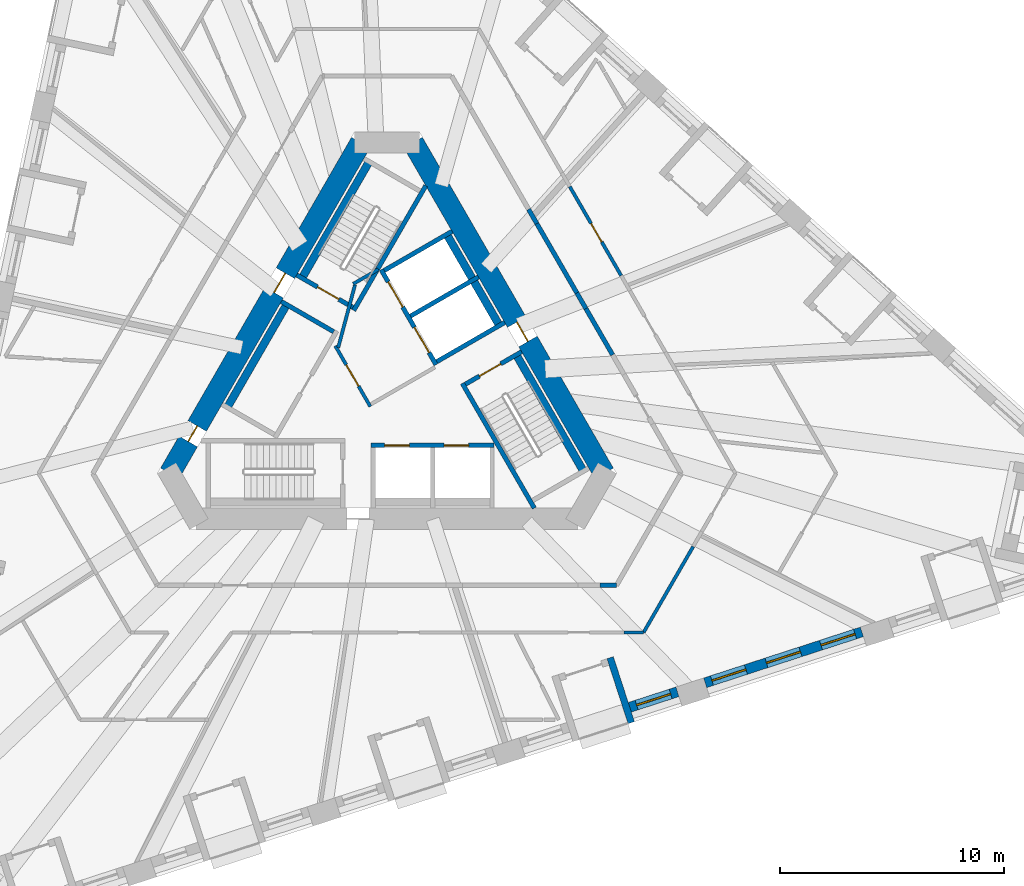
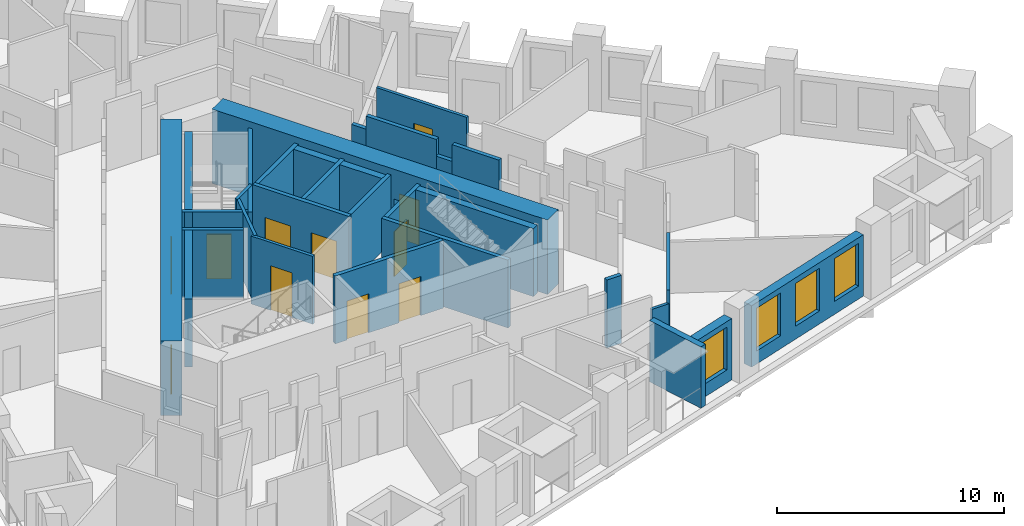
# One storey, part 5 of 12: 30 walls, 11 doors, 4 windows, 15 openings.
"""IFC4 building model written with IfcOpenShell, lengths in metres."""

from ifc_helpers import new_model, si_unit, direction, frame, frame_2d, origin, place, context, subcontext, project, spatial, rectangle, extrude, material, layer, layer_set, type_object, element, fill, save


model = new_model("IFC4")

# Units and contexts
model_context = context("Model", 3, precision=1e-05, world=origin(), true_north=direction((0.0, 1.0)))
body_context = subcontext(model_context, "Body", "Model", "MODEL_VIEW")
ifc_project = project(units=[si_unit("LENGTHUNIT", "METRE"), si_unit("AREAUNIT", "SQUARE_METRE"), si_unit("VOLUMEUNIT", "CUBIC_METRE"), si_unit("PLANEANGLEUNIT", "RADIAN"), si_unit("MASSUNIT", "GRAM", prefix="KILO")], contexts=[model_context])

# Site, building, storey
site_placement = place(None, origin())
site = spatial("IfcSite", under=ifc_project, at=site_placement, CompositionType="ELEMENT")
building_placement = place(site_placement, origin())
building = spatial("IfcBuilding", under=site, at=building_placement, Name="Tramontana Tower", CompositionType="ELEMENT")
storey_placement = place(building_placement, frame((0.0, 0.0, 92.39990234375)))
storey = spatial("IfcBuildingStorey", under=building, at=storey_placement, Name="L20", CompositionType="ELEMENT", Elevation=92.39990234375)

# Wall, openings, doors
ifc_material_1 = material(Name="Concrete 70 MPa", Category="concrete")
ifc_layer_1 = layer(ifc_material_1, 0.949951171875)
ifc_layer_set_1 = layer_set([ifc_layer_1], Name="Core wall 950 70 MPa")
wall_type_1 = type_object("IfcWallType", Name="Core wall 950 70 MPa", PredefinedType="SHEAR", material=ifc_layer_set_1)
wall_1_placement = place(storey_placement, frame((-1.169189453125, 10.52490234375, 0.0), z_axis=(0.0, 0.0, 1.0), x_axis=(-0.499999102847, -0.866025921755, 0.0)))
wall_1 = element("IfcWall", 1, at=wall_1_placement, inside=storey, type_object=wall_type_1, Name="Core wall C1 L20", PredefinedType="SHEAR", context=body_context, shape_type="SweptSolid", body=[
    extrude(rectangle(XDim=17.060546875, YDim=0.949951171875, at=frame_2d((8.5302734375, 0.0))), origin(), (0.0, 0.0, 1.0), 4.0),
])
opening_1_placement = place(wall_1_placement, frame((6.7353515625, 0.0, 0.0)))
opening_1 = element("IfcOpeningElement", 2, at=opening_1_placement, cuts=wall_1, Name="Opening RG1", PredefinedType="OPENING", context=body_context, shape_type="SweptSolid", body=[
    extrude(rectangle(XDim=1.0, YDim=2.39990234375, at=frame_2d((0.5, 1.199951171875))), frame((0.0, 0.48486328125, 0.0), z_axis=(0.0, -1.0, 0.0), x_axis=(1.0, 0.0, 0.0)), (0.0, 0.0, 1.0), 0.969970703125),
])
opening_2_placement = place(wall_1_placement, frame((14.612548828125, 0.0, 0.0)))
opening_2 = element("IfcOpeningElement", 3, at=opening_2_placement, cuts=wall_1, Name="Opening PD1", PredefinedType="OPENING", context=body_context, shape_type="SweptSolid", body=[
    extrude(rectangle(XDim=0.800048828125, YDim=2.10009765625, at=frame_2d((0.39990234375, 1.050048828125))), frame((0.0, 0.48486328125, 0.0), z_axis=(0.0, -1.0, 0.0), x_axis=(1.0, 0.0, 0.0)), (0.0, 0.0, 1.0), 0.969970703125),
])
ifc_material_2 = material(Name="Painted steel", Category="steel")
door_type_1 = type_object("IfcDoorType", Name="CUPBOARD DOOR 800", OperationType="SINGLE_SWING_LEFT", PredefinedType="DOOR", material=ifc_material_2)
door_1_placement = place(opening_2_placement, origin())
door_1 = element("IfcDoor", 4, at=door_1_placement, inside=storey, type_object=door_type_1, Name="Door PD1", OperationType="SINGLE_SWING_RIGHT", OverallHeight=2.10009765625, OverallWidth=0.800048828125, PredefinedType="DOOR", context=body_context, shape_type="SweptSolid", body=[
    extrude(rectangle(XDim=0.800048828125, YDim=2.10009765625, at=frame_2d((0.39990234375, 1.050048828125))), frame((0.0, 0.02490234375, 0.0), z_axis=(0.0, -1.0, 0.0), x_axis=(1.0, 0.0, 0.0)), (0.0, 0.0, 1.0), 0.050048828125),
])
fill(opening_2, door_1)
ifc_material_3 = material(Name="Painted steel", Category="steel")
door_type_2 = type_object("IfcDoorType", Name="RING DOOR 1000", OperationType="SINGLE_SWING_LEFT", PredefinedType="DOOR", material=ifc_material_3)
door_2_placement = place(opening_1_placement, origin())
door_2 = element("IfcDoor", 5, at=door_2_placement, inside=storey, type_object=door_type_2, Name="Door RG1", OperationType="SINGLE_SWING_LEFT", OverallHeight=2.39990234375, OverallWidth=1.0, PredefinedType="DOOR", context=body_context, shape_type="SweptSolid", body=[
    extrude(rectangle(XDim=1.0, YDim=2.39990234375, at=frame_2d((0.5, 1.199951171875))), frame((0.0, 0.02490234375, 0.0), z_axis=(0.0, -1.0, 0.0), x_axis=(1.0, 0.0, 0.0)), (0.0, 0.0, 1.0), 0.050048828125),
])
fill(opening_1, door_2)

# Wall, opening, door
wall_2_placement = place(storey_placement, frame((9.699462890625, -4.25, 0.0), z_axis=(0.0, 0.0, 1.0), x_axis=(-0.499999102847, 0.866025921755, 0.0)))
wall_2 = element("IfcWall", 6, at=wall_2_placement, inside=storey, type_object=wall_type_1, Name="Core wall C5 L20", PredefinedType="SHEAR", context=body_context, shape_type="SweptSolid", body=[
    extrude(rectangle(XDim=17.060546875, YDim=0.949951171875, at=frame_2d((8.5302734375, 0.0))), origin(), (0.0, 0.0, 1.0), 4.0),
])
opening_3_placement = place(wall_2_placement, frame((6.805419921875, 0.0, 0.0)))
opening_3 = element("IfcOpeningElement", 7, at=opening_3_placement, cuts=wall_2, Name="Opening RG3", PredefinedType="OPENING", context=body_context, shape_type="SweptSolid", body=[
    extrude(rectangle(XDim=1.0, YDim=2.39990234375, at=frame_2d((0.5, 1.199951171875))), frame((0.0, 0.48486328125, 0.0), z_axis=(0.0, -1.0, 0.0), x_axis=(1.0, 0.0, 0.0)), (0.0, 0.0, 1.0), 0.969970703125),
])
door_3_placement = place(opening_3_placement, origin())
door_3 = element("IfcDoor", 8, at=door_3_placement, inside=storey, type_object=door_type_2, Name="Door RG3", OperationType="SINGLE_SWING_LEFT", OverallHeight=2.39990234375, OverallWidth=1.0, PredefinedType="DOOR", context=body_context, shape_type="SweptSolid", body=[
    extrude(rectangle(XDim=1.0, YDim=2.39990234375, at=frame_2d((0.5, 1.199951171875))), frame((0.0, 0.02490234375, 0.0), z_axis=(0.0, -1.0, 0.0), x_axis=(1.0, 0.0, 0.0)), (0.0, 0.0, 1.0), 0.050048828125),
])
fill(opening_3, door_3)

# Walls
ifc_material_4 = material(Name="Blockwork", Category="masonry")
ifc_layer_2 = layer(ifc_material_4, 0.199951171875)
ifc_layer_set_2 = layer_set([ifc_layer_2], Name="ENTRY WALL 200")
wall_type_2 = type_object("IfcWallType", Name="ENTRY WALL 200", PredefinedType="SOLIDWALL", material=ifc_layer_set_2)
wall_3_placement = place(storey_placement, frame((6.323974609375, 7.546630859375, 0.0), z_axis=(0.0, 0.0, 1.0), x_axis=(0.499885169746, -0.866091690913, 0.0)))
element("IfcWall", 9, at=wall_3_placement, inside=storey, type_object=wall_type_2, Name="Wall v20-ew0-3", PredefinedType="SOLIDWALL", context=body_context, shape_type="SweptSolid", body=[
    extrude(rectangle(XDim=0.736083984375, YDim=0.199951171875, at=frame_2d((0.3681640625, 0.0))), origin(), (0.0, 0.0, 1.0), 2.9501953125),
])
wall_4_placement = place(storey_placement, frame((6.69189453125, 6.9091796875, 0.0), z_axis=(0.0, 0.0, 1.0), x_axis=(0.500029679218, -0.866008267802, 0.0)))
element("IfcWall", 10, at=wall_4_placement, inside=storey, type_object=wall_type_2, Name="Wall v20-ew0-4", PredefinedType="SOLIDWALL", context=body_context, shape_type="SweptSolid", body=[
    extrude(rectangle(XDim=3.576904296875, YDim=0.199951171875, at=frame_2d((1.78857421875, 0.0))), origin(), (0.0, 0.0, 1.0), 3.650146484375),
])
wall_5_placement = place(storey_placement, frame((8.48046875, 3.8115234375, 0.0), z_axis=(0.0, 0.0, 1.0), x_axis=(0.499809598504, -0.866135304236, 0.0)))
element("IfcWall", 11, at=wall_5_placement, inside=storey, type_object=wall_type_2, Name="Wall v20-ew0-5", PredefinedType="SOLIDWALL", context=body_context, shape_type="SweptSolid", body=[
    extrude(rectangle(XDim=0.808349609375, YDim=0.199951171875, at=frame_2d((0.404296875, 0.0))), origin(), (0.0, 0.0, 1.0), 2.75),
])
wall_6_placement = place(storey_placement, frame((8.884521484375, 3.111328125, 0.0), z_axis=(0.0, 0.0, 1.0), x_axis=(0.500035462246, -0.866004928679, 0.0)))
element("IfcWall", 12, at=wall_6_placement, inside=storey, type_object=wall_type_2, Name="Wall v20-ew0-6", PredefinedType="SOLIDWALL", context=body_context, shape_type="SweptSolid", body=[
    extrude(rectangle(XDim=2.385498046875, YDim=0.199951171875, at=frame_2d((1.19287109375, 0.0))), origin(), (0.0, 0.0, 1.0), 3.650146484375),
])
wall_7_placement = place(storey_placement, frame((10.248046875, -9.25, 0.0), z_axis=(0.0, 0.0, 1.0), x_axis=(-1.0, 0.0, 0.0)))
element("IfcWall", 13, at=wall_7_placement, inside=storey, type_object=wall_type_2, Name="Wall v20-ew2-0", PredefinedType="SOLIDWALL", context=body_context, shape_type="SweptSolid", body=[
    extrude(rectangle(XDim=0.74365234375, YDim=0.199951171875, at=frame_2d((0.371826171875, 0.0))), origin(), (0.0, 0.0, 1.0), 3.650146484375),
])

# Wall, opening, window
ifc_material_5 = material(Name="Precast concrete 60 MPa", Category="concrete")
ifc_layer_3 = layer(ifc_material_5, 0.449951171875)
ifc_layer_set_3 = layer_set([ifc_layer_3], Name="Precast concrete 60 MPa, 450 mm")
wall_type_3 = type_object("IfcWallType", Name="EW1 Stone-faced precast wall 450", PredefinedType="SOLIDWALL", material=ifc_layer_set_3)
wall_8_placement = place(storey_placement, frame((10.8447265625, -14.69287109375, 0.0), z_axis=(0.0, 0.0, 1.0), x_axis=(0.951057328329, 0.30901449518, 0.0)))
wall_8 = element("IfcWall", 14, at=wall_8_placement, inside=storey, type_object=wall_type_3, Name="External wall L20 face 1 bay 4", PredefinedType="SOLIDWALL", context=body_context, shape_type="SweptSolid", body=[
    extrude(rectangle(XDim=2.236572265625, YDim=0.449951171875, at=frame_2d((1.1181640625, 0.0))), origin(), (0.0, 0.0, 1.0), 3.300048828125),
])
opening_4_placement = place(wall_8_placement, frame((0.318359375, 0.0, 0.699951171875)))
opening_4 = element("IfcOpeningElement", 15, at=opening_4_placement, cuts=wall_8, Name="Opening M1", PredefinedType="OPENING", context=body_context, shape_type="SweptSolid", body=[
    extrude(rectangle(XDim=1.60009765625, YDim=2.300048828125, at=frame_2d((0.800048828125, 1.14990234375))), frame((0.0, 0.23486328125, 0.0), z_axis=(0.0, -1.0, 0.0), x_axis=(1.0, 0.0, 0.0)), (0.0, 0.0, 1.0), 0.469970703125),
])
ifc_material_6 = material(Name="Aluminum frame, double glazing unit", Category="aluminium")
window_type = type_object("IfcWindowType", Name="M1 Window 1.6 x 2.3", PartitioningType="SINGLE_PANEL", PredefinedType="WINDOW", material=ifc_material_6)
window_1_placement = place(opening_4_placement, origin())
window_1 = element("IfcWindow", 16, at=window_1_placement, inside=storey, type_object=window_type, Name="Window M1 L20 face 1 module 12", OverallHeight=2.300048828125, OverallWidth=1.60009765625, PartitioningType="SINGLE_PANEL", PredefinedType="WINDOW", context=body_context, shape_type="SweptSolid", body=[
    extrude(rectangle(XDim=1.60009765625, YDim=2.300048828125, at=frame_2d((0.800048828125, 1.14990234375))), frame((0.0, 0.030029296875, 0.0), z_axis=(0.0, -1.0, 0.0), x_axis=(1.0, 0.0, 0.0)), (0.0, 0.0, 1.0), 0.06005859375),
])
fill(opening_4, window_1)

# Wall, openings, windows
wall_9_placement = place(storey_placement, frame((14.208251953125, -13.60009765625, 0.0), z_axis=(0.0, 0.0, 1.0), x_axis=(0.951057467065, 0.309014068191, 0.0)))
wall_9 = element("IfcWall", 17, at=wall_9_placement, inside=storey, type_object=wall_type_3, Name="External wall L20 face 1 bay 5", PredefinedType="SOLIDWALL", context=body_context, shape_type="SweptSolid", body=[
    extrude(rectangle(XDim=7.360107421875, YDim=0.449951171875, at=frame_2d((3.68017578125, 0.0))), origin(), (0.0, 0.0, 1.0), 3.300048828125),
])
opening_5_placement = place(wall_9_placement, frame((0.318359375, 0.0, 0.699951171875)))
opening_5 = element("IfcOpeningElement", 18, at=opening_5_placement, cuts=wall_9, Name="Opening M1", PredefinedType="OPENING", context=body_context, shape_type="SweptSolid", body=[
    extrude(rectangle(XDim=1.60009765625, YDim=2.300048828125, at=frame_2d((0.800048828125, 1.14990234375))), frame((0.0, 0.23486328125, 0.0), z_axis=(0.0, -1.0, 0.0), x_axis=(1.0, 0.0, 0.0)), (0.0, 0.0, 1.0), 0.469970703125),
])
opening_6_placement = place(wall_9_placement, frame((2.880126953125, 0.0, 0.699951171875)))
opening_6 = element("IfcOpeningElement", 19, at=opening_6_placement, cuts=wall_9, Name="Opening M1", PredefinedType="OPENING", context=body_context, shape_type="SweptSolid", body=[
    extrude(rectangle(XDim=1.60009765625, YDim=2.300048828125, at=frame_2d((0.800048828125, 1.14990234375))), frame((0.0, 0.23486328125, 0.0), z_axis=(0.0, -1.0, 0.0), x_axis=(1.0, 0.0, 0.0)), (0.0, 0.0, 1.0), 0.469970703125),
])
opening_7_placement = place(wall_9_placement, frame((5.44189453125, 0.0, 0.699951171875)))
opening_7 = element("IfcOpeningElement", 20, at=opening_7_placement, cuts=wall_9, Name="Opening M1", PredefinedType="OPENING", context=body_context, shape_type="SweptSolid", body=[
    extrude(rectangle(XDim=1.60009765625, YDim=2.300048828125, at=frame_2d((0.800048828125, 1.14990234375))), frame((0.0, 0.23486328125, 0.0), z_axis=(0.0, -1.0, 0.0), x_axis=(1.0, 0.0, 0.0)), (0.0, 0.0, 1.0), 0.469970703125),
])
window_2_placement = place(opening_5_placement, origin())
window_2 = element("IfcWindow", 21, at=window_2_placement, inside=storey, type_object=window_type, Name="Window M1 L20 face 1 module 13", OverallHeight=2.300048828125, OverallWidth=1.60009765625, PartitioningType="SINGLE_PANEL", PredefinedType="WINDOW", context=body_context, shape_type="SweptSolid", body=[
    extrude(rectangle(XDim=1.60009765625, YDim=2.300048828125, at=frame_2d((0.800048828125, 1.14990234375))), frame((0.0, 0.030029296875, 0.0), z_axis=(0.0, -1.0, 0.0), x_axis=(1.0, 0.0, 0.0)), (0.0, 0.0, 1.0), 0.06005859375),
])
fill(opening_5, window_2)
window_3_placement = place(opening_6_placement, origin())
window_3 = element("IfcWindow", 22, at=window_3_placement, inside=storey, type_object=window_type, Name="Window M1 L20 face 1 module 14", OverallHeight=2.300048828125, OverallWidth=1.60009765625, PartitioningType="SINGLE_PANEL", PredefinedType="WINDOW", context=body_context, shape_type="SweptSolid", body=[
    extrude(rectangle(XDim=1.60009765625, YDim=2.300048828125, at=frame_2d((0.800048828125, 1.14990234375))), frame((0.0, 0.030029296875, 0.0), z_axis=(0.0, -1.0, 0.0), x_axis=(1.0, 0.0, 0.0)), (0.0, 0.0, 1.0), 0.06005859375),
])
fill(opening_6, window_3)
window_4_placement = place(opening_7_placement, origin())
window_4 = element("IfcWindow", 23, at=window_4_placement, inside=storey, type_object=window_type, Name="Window M1 L20 face 1 module 15", OverallHeight=2.300048828125, OverallWidth=1.60009765625, PartitioningType="SINGLE_PANEL", PredefinedType="WINDOW", context=body_context, shape_type="SweptSolid", body=[
    extrude(rectangle(XDim=1.60009765625, YDim=2.300048828125, at=frame_2d((0.800048828125, 1.14990234375))), frame((0.0, 0.030029296875, 0.0), z_axis=(0.0, -1.0, 0.0), x_axis=(1.0, 0.0, 0.0)), (0.0, 0.0, 1.0), 0.06005859375),
])
fill(opening_7, window_4)

# Wall
ifc_material_7 = material(Name="Precast concrete 60 MPa", Category="concrete")
ifc_layer_4 = layer(ifc_material_7, 0.300048828125)
ifc_layer_set_4 = layer_set([ifc_layer_4], Name="LW1 Stone-faced loggia wall 300")
wall_type_4 = type_object("IfcWallType", Name="LW1 Stone-faced loggia wall 300", PredefinedType="SOLIDWALL", material=ifc_layer_set_4)
wall_10_placement = place(storey_placement, frame((10.91064453125, -15.38134765625, 0.0), z_axis=(0.0, 0.0, 1.0), x_axis=(-0.309039015525, 0.951049360908, 0.0)))
element("IfcWall", 24, at=wall_10_placement, inside=storey, type_object=wall_type_4, Name="Loggia return L20 G2S1.10b", PredefinedType="SOLIDWALL", context=body_context, shape_type="SweptSolid", body=[
    extrude(rectangle(XDim=3.05029296875, YDim=0.300048828125, at=frame_2d((1.525146484375, 0.0))), origin(), (0.0, 0.0, 1.0), 3.300048828125),
])

# Wall, opening, door
ifc_material_8 = material(Name="Gypsum board partition")
ifc_layer_5 = layer(ifc_material_8, 0.14990234375)
ifc_layer_set_5 = layer_set([ifc_layer_5], Name="PARTITION 150")
wall_type_5 = type_object("IfcWallType", Name="PARTITION 150", PredefinedType="PARTITIONING", material=ifc_layer_set_5)
wall_11_placement = place(storey_placement, frame((-0.744140625, -1.260986328125, 0.0), z_axis=(0.0, 0.0, 1.0), x_axis=(-0.500004234368, 0.866022959057, 0.0)))
wall_11 = element("IfcWall", 25, at=wall_11_placement, inside=storey, type_object=wall_type_5, Name="Wall ff-front", PredefinedType="PARTITIONING", context=body_context, shape_type="SweptSolid", body=[
    extrude(rectangle(XDim=3.125, YDim=0.14990234375, at=frame_2d((1.5625, 0.0))), origin(), (0.0, 0.0, 1.0), 3.650146484375),
])
opening_8_placement = place(wall_11_placement, frame((1.050048828125, 0.0, 0.0)))
opening_8 = element("IfcOpeningElement", 26, at=opening_8_placement, cuts=wall_11, Name="Opening FD1", PredefinedType="OPENING", context=body_context, shape_type="SweptSolid", body=[
    extrude(rectangle(XDim=1.10009765625, YDim=2.39990234375, at=frame_2d((0.550048828125, 1.199951171875))), frame((0.0, 0.0849609375, 0.0), z_axis=(0.0, -1.0, 0.0), x_axis=(1.0, 0.0, 0.0)), (0.0, 0.0, 1.0), 0.169921875),
])
ifc_material_9 = material(Name="Painted timber", Category="wood")
door_type_3 = type_object("IfcDoorType", Name="DOOR ENTRY 1100", OperationType="SINGLE_SWING_LEFT", PredefinedType="DOOR", material=ifc_material_9)
door_4_placement = place(opening_8_placement, origin())
door_4 = element("IfcDoor", 27, at=door_4_placement, inside=storey, type_object=door_type_3, Name="Door FD1", OperationType="SINGLE_SWING_RIGHT", OverallHeight=2.39990234375, OverallWidth=1.10009765625, PredefinedType="DOOR", context=body_context, shape_type="SweptSolid", body=[
    extrude(rectangle(XDim=1.10009765625, YDim=2.39990234375, at=frame_2d((0.550048828125, 1.199951171875))), frame((0.0, 0.02490234375, 0.0), z_axis=(0.0, -1.0, 0.0), x_axis=(1.0, 0.0, 0.0)), (0.0, 0.0, 1.0), 0.050048828125),
])
fill(opening_8, door_4)

# Walls
wall_12_placement = place(storey_placement, frame((-2.177978515625, 1.372314453125, 0.0), z_axis=(0.0, 0.0, 1.0), x_axis=(0.258808958833, 0.96592852884, 0.0)))
element("IfcWall", 28, at=wall_12_placement, inside=storey, type_object=wall_type_5, Name="Wall ff-diag", PredefinedType="PARTITIONING", context=body_context, shape_type="SweptSolid", body=[
    extrude(rectangle(XDim=2.902587890625, YDim=0.14990234375, at=frame_2d((1.451171875, 0.0))), origin(), (0.0, 0.0, 1.0), 3.650146484375),
])
wall_13_placement = place(storey_placement, frame((-1.509765625, 4.21484375, 0.0), z_axis=(0.0, 0.0, 1.0), x_axis=(0.866085525409, 0.49989585183, 0.0)))
element("IfcWall", 29, at=wall_13_placement, inside=storey, type_object=wall_type_5, Name="Wall ff-end1", PredefinedType="PARTITIONING", context=body_context, shape_type="SweptSolid", body=[
    extrude(rectangle(XDim=1.300048828125, YDim=0.14990234375, at=frame_2d((0.64990234375, 0.0))), origin(), (0.0, 0.0, 1.0), 3.650146484375),
])

# Wall, opening, door
wall_14_placement = place(storey_placement, frame((8.162841796875, 8.5615234375, 0.0), z_axis=(0.0, 0.0, 1.0), x_axis=(0.500023253097, -0.866011978186, 0.0)))
wall_14 = element("IfcWall", 30, at=wall_14_placement, inside=storey, type_object=wall_type_5, Name="Wall v20-pw23-3", PredefinedType="PARTITIONING", context=body_context, shape_type="SweptSolid", body=[
    extrude(rectangle(XDim=4.590087890625, YDim=0.14990234375, at=frame_2d((2.294921875, 0.0))), origin(), (0.0, 0.0, 1.0), 3.650146484375),
])
opening_9_placement = place(wall_14_placement, frame((1.900146484375, 0.0, 0.0)))
opening_9 = element("IfcOpeningElement", 31, at=opening_9_placement, cuts=wall_14, Name="Opening B2A-19", PredefinedType="OPENING", context=body_context, shape_type="SweptSolid", body=[
    extrude(rectangle(XDim=0.949951171875, YDim=2.39990234375, at=frame_2d((0.47509765625, 1.199951171875))), frame((0.0, 0.0849609375, 0.0), z_axis=(0.0, -1.0, 0.0), x_axis=(1.0, 0.0, 0.0)), (0.0, 0.0, 1.0), 0.169921875),
])
ifc_material_10 = material(Name="Painted timber", Category="wood")
door_type_4 = type_object("IfcDoorType", Name="DOOR ROOM 950", OperationType="SINGLE_SWING_LEFT", PredefinedType="DOOR", material=ifc_material_10)
door_5_placement = place(opening_9_placement, origin())
door_5 = element("IfcDoor", 32, at=door_5_placement, inside=storey, type_object=door_type_4, Name="Door B2A-19", OperationType="SINGLE_SWING_LEFT", OverallHeight=2.39990234375, OverallWidth=0.949951171875, PredefinedType="DOOR", context=body_context, shape_type="SweptSolid", body=[
    extrude(rectangle(XDim=0.949951171875, YDim=2.39990234375, at=frame_2d((0.47509765625, 1.199951171875))), frame((0.0, 0.02490234375, 0.0), z_axis=(0.0, -1.0, 0.0), x_axis=(1.0, 0.0, 0.0)), (0.0, 0.0, 1.0), 0.050048828125),
])
fill(opening_9, door_5)

# Walls
wall_15_placement = place(storey_placement, frame((11.46044921875, -11.35009765625, 0.0), z_axis=(0.0, 0.0, 1.0), x_axis=(-1.0, 0.0, 0.0)))
element("IfcWall", 33, at=wall_15_placement, inside=storey, type_object=wall_type_5, Name="Wall v20-pw32-0", PredefinedType="PARTITIONING", context=body_context, shape_type="SweptSolid", body=[
    extrude(rectangle(XDim=0.869384765625, YDim=0.14990234375, at=frame_2d((0.4345703125, 0.0))), origin(), (0.0, 0.0, 1.0), 2.9501953125),
])
wall_16_placement = place(storey_placement, frame((13.67333984375, -7.51708984375, 0.0), z_axis=(0.0, 0.0, 1.0), x_axis=(-0.500007369519, -0.866021148949, 0.0)))
element("IfcWall", 34, at=wall_16_placement, inside=storey, type_object=wall_type_5, Name="Wall v20-pw35-3", PredefinedType="PARTITIONING", context=body_context, shape_type="SweptSolid", body=[
    extrude(rectangle(XDim=4.42578125, YDim=0.14990234375, at=frame_2d((2.212890625, 0.0))), origin(), (0.0, 0.0, 1.0), 3.650146484375),
])
ifc_material_11 = material(Name="Concrete 70 MPa", Category="concrete")
ifc_layer_6 = layer(ifc_material_11, 0.35009765625)
ifc_layer_set_6 = layer_set([ifc_layer_6], Name="Concrete 70 MPa, 350 mm")
wall_type_6 = type_object("IfcWallType", Name="RC SHAFT BACK WALL 350", PredefinedType="SOLIDWALL", material=ifc_layer_set_6)
wall_17_placement = place(storey_placement, frame((-0.744873046875, 9.760009765625, 0.0), z_axis=(0.0, 0.0, 1.0), x_axis=(-0.49998037582, -0.866036733513, 0.0)))
element("IfcWall", 35, at=wall_17_placement, inside=storey, type_object=wall_type_6, Name="Wall st1-back", PredefinedType="SOLIDWALL", context=body_context, shape_type="SweptSolid", body=[
    extrude(rectangle(XDim=6.199951171875, YDim=0.35009765625, at=frame_2d((3.10009765625, 0.0))), origin(), (0.0, 0.0, 1.0), 3.650146484375),
])
wall_18_placement = place(storey_placement, frame((8.82470703125, -4.23486328125, 0.0), z_axis=(0.0, 0.0, 1.0), x_axis=(-0.499997426962, 0.866026889324, 0.0)))
element("IfcWall", 36, at=wall_18_placement, inside=storey, type_object=wall_type_6, Name="Wall st3-back", PredefinedType="SOLIDWALL", context=body_context, shape_type="SweptSolid", body=[
    extrude(rectangle(XDim=6.19970703125, YDim=0.35009765625, at=frame_2d((3.099853515625, 0.0))), origin(), (0.0, 0.0, 1.0), 3.650146484375),
])
wall_19_placement = place(storey_placement, frame((-4.4296875, 3.37744140625, 0.0), z_axis=(0.0, 0.0, 1.0), x_axis=(-0.499996545922, -0.866027397988, 0.0)))
element("IfcWall", 37, at=wall_19_placement, inside=storey, type_object=wall_type_6, Name="Wall row0-back", PredefinedType="SOLIDWALL", context=body_context, shape_type="SweptSolid", body=[
    extrude(rectangle(XDim=5.5, YDim=0.35009765625, at=frame_2d((2.75, 0.0))), origin(), (0.0, 0.0, 1.0), 3.650146484375),
])
wall_20_placement = place(storey_placement, frame((5.06982421875, 2.268798828125, 0.0), z_axis=(0.0, 0.0, 1.0), x_axis=(-0.49998122708, 0.866036242063, 0.0)))
element("IfcWall", 38, at=wall_20_placement, inside=storey, type_object=wall_type_6, Name="Wall row2-back", PredefinedType="SOLIDWALL", context=body_context, shape_type="SweptSolid", body=[
    extrude(rectangle(XDim=4.900146484375, YDim=0.35009765625, at=frame_2d((2.4501953125, 0.0))), origin(), (0.0, 0.0, 1.0), 3.650146484375),
])
ifc_material_12 = material(Name="Concrete 70 MPa", Category="concrete")
ifc_layer_7 = layer(ifc_material_12, 0.199951171875)
ifc_layer_set_7 = layer_set([ifc_layer_7], Name="Concrete 70 MPa, 200 mm")
wall_type_7 = type_object("IfcWallType", Name="RC STAIR AND SHAFT WALL 200", PredefinedType="SOLIDWALL", material=ifc_layer_set_7)
wall_21_placement = place(storey_placement, frame((1.73193359375, 8.60009765625, 0.0), z_axis=(0.0, 0.0, 1.0), x_axis=(-0.499975376872, -0.866039619487, 0.0)))
element("IfcWall", 39, at=wall_21_placement, inside=storey, type_object=wall_type_7, Name="Wall st1-front", PredefinedType="SOLIDWALL", context=body_context, shape_type="SweptSolid", body=[
    extrude(rectangle(XDim=6.433837890625, YDim=0.199951171875, at=frame_2d((3.216796875, 0.0))), origin(), (0.0, 0.0, 1.0), 3.650146484375),
])

# Wall, opening, door
wall_22_placement = place(storey_placement, frame((-1.521484375, 3.164794921875, 0.0), z_axis=(0.0, 0.0, 1.0), x_axis=(-0.866032775405, 0.499987231761, 0.0)))
wall_22 = element("IfcWall", 40, at=wall_22_placement, inside=storey, type_object=wall_type_7, Name="Wall st1-near", PredefinedType="SOLIDWALL", context=body_context, shape_type="SweptSolid", body=[
    extrude(rectangle(XDim=2.89990234375, YDim=0.199951171875, at=frame_2d((1.449951171875, 0.0))), origin(), (0.0, 0.0, 1.0), 3.650146484375),
])
opening_10_placement = place(wall_22_placement, frame((0.72509765625, 0.0, 0.0)))
opening_10 = element("IfcOpeningElement", 41, at=opening_10_placement, cuts=wall_22, Name="Opening SD1", PredefinedType="OPENING", context=body_context, shape_type="SweptSolid", body=[
    extrude(rectangle(XDim=1.10009765625, YDim=2.39990234375, at=frame_2d((0.550048828125, 1.199951171875))), frame((0.0, 0.10986328125, 0.0), z_axis=(0.0, -1.0, 0.0), x_axis=(1.0, 0.0, 0.0)), (0.0, 0.0, 1.0), 0.219970703125),
])
ifc_material_13 = material(Name="Painted steel", Category="steel")
door_type_5 = type_object("IfcDoorType", Name="STAIR DOOR 1100", OperationType="SINGLE_SWING_LEFT", PredefinedType="DOOR", material=ifc_material_13)
door_6_placement = place(opening_10_placement, origin())
door_6 = element("IfcDoor", 42, at=door_6_placement, inside=storey, type_object=door_type_5, Name="Door SD1", OperationType="SINGLE_SWING_RIGHT", OverallHeight=2.39990234375, OverallWidth=1.10009765625, PredefinedType="DOOR", context=body_context, shape_type="SweptSolid", body=[
    extrude(rectangle(XDim=1.10009765625, YDim=2.39990234375, at=frame_2d((0.550048828125, 1.199951171875))), frame((0.0, 0.02490234375, 0.0), z_axis=(0.0, -1.0, 0.0), x_axis=(1.0, 0.0, 0.0)), (0.0, 0.0, 1.0), 0.050048828125),
])
fill(opening_10, door_6)

# Wall
wall_23_placement = place(storey_placement, frame((6.581787109375, -5.800048828125, 0.0), z_axis=(0.0, 0.0, 1.0), x_axis=(-0.499975376872, 0.866039619487, 0.0)))
element("IfcWall", 43, at=wall_23_placement, inside=storey, type_object=wall_type_7, Name="Wall st3-front", PredefinedType="SOLIDWALL", context=body_context, shape_type="SweptSolid", body=[
    extrude(rectangle(XDim=6.433837890625, YDim=0.199951171875, at=frame_2d((3.216796875, 0.0))), origin(), (0.0, 0.0, 1.0), 3.650146484375),
])

# Wall, opening, door
wall_24_placement = place(storey_placement, frame((3.50146484375, -0.2646484375, 0.0), z_axis=(0.0, 0.0, 1.0), x_axis=(0.866032775405, 0.499987231761, 0.0)))
wall_24 = element("IfcWall", 44, at=wall_24_placement, inside=storey, type_object=wall_type_7, Name="Wall st3-near", PredefinedType="SOLIDWALL", context=body_context, shape_type="SweptSolid", body=[
    extrude(rectangle(XDim=2.89990234375, YDim=0.199951171875, at=frame_2d((1.449951171875, 0.0))), origin(), (0.0, 0.0, 1.0), 3.650146484375),
])
opening_11_placement = place(wall_24_placement, frame((0.72509765625, 0.0, 0.0)))
opening_11 = element("IfcOpeningElement", 45, at=opening_11_placement, cuts=wall_24, Name="Opening SD3", PredefinedType="OPENING", context=body_context, shape_type="SweptSolid", body=[
    extrude(rectangle(XDim=1.10009765625, YDim=2.39990234375, at=frame_2d((0.550048828125, 1.199951171875))), frame((0.0, 0.10986328125, 0.0), z_axis=(0.0, -1.0, 0.0), x_axis=(1.0, 0.0, 0.0)), (0.0, 0.0, 1.0), 0.219970703125),
])
door_7_placement = place(opening_11_placement, origin())
door_7 = element("IfcDoor", 46, at=door_7_placement, inside=storey, type_object=door_type_5, Name="Door SD3", OperationType="SINGLE_SWING_RIGHT", OverallHeight=2.39990234375, OverallWidth=1.10009765625, PredefinedType="DOOR", context=body_context, shape_type="SweptSolid", body=[
    extrude(rectangle(XDim=1.10009765625, YDim=2.39990234375, at=frame_2d((0.550048828125, 1.199951171875))), frame((0.0, 0.02490234375, 0.0), z_axis=(0.0, -1.0, 0.0), x_axis=(1.0, 0.0, 0.0)), (0.0, 0.0, 1.0), 0.050048828125),
])
fill(opening_11, door_7)

# Wall
wall_25_placement = place(storey_placement, frame((-2.379638671875, 2.078369140625, 0.0), z_axis=(0.0, 0.0, 1.0), x_axis=(-0.866059108428, 0.4999416173, 0.0)))
element("IfcWall", 47, at=wall_25_placement, inside=storey, type_object=wall_type_7, Name="Wall row0-side0", PredefinedType="SOLIDWALL", context=body_context, shape_type="SweptSolid", body=[
    extrude(rectangle(XDim=2.699951171875, YDim=0.199951171875, at=frame_2d((1.35009765625, 0.0))), origin(), (0.0, 0.0, 1.0), 3.650146484375),
])

# Wall, openings, doors
wall_26_placement = place(storey_placement, frame((-0.7099609375, -3.0, 0.0), z_axis=(0.0, 0.0, 1.0), x_axis=(1.0, 0.0, 0.0)))
wall_26 = element("IfcWall", 48, at=wall_26_placement, inside=storey, type_object=wall_type_7, Name="Wall row1-front", PredefinedType="SOLIDWALL", context=body_context, shape_type="SweptSolid", body=[
    extrude(rectangle(XDim=5.5, YDim=0.199951171875, at=frame_2d((2.75, 0.0))), origin(), (0.0, 0.0, 1.0), 3.650146484375),
])
opening_12_placement = place(wall_26_placement, frame((0.610107421875, 0.0, 0.0)))
opening_12 = element("IfcOpeningElement", 49, at=opening_12_placement, cuts=wall_26, Name="Opening LD-S1", PredefinedType="OPENING", context=body_context, shape_type="SweptSolid", body=[
    extrude(rectangle(XDim=1.10009765625, YDim=2.10009765625, at=frame_2d((0.550048828125, 1.050048828125))), frame((0.0, 0.10986328125, 0.0), z_axis=(0.0, -1.0, 0.0), x_axis=(1.0, 0.0, 0.0)), (0.0, 0.0, 1.0), 0.219970703125),
])
opening_13_placement = place(wall_26_placement, frame((3.260009765625, 0.0, 0.0)))
opening_13 = element("IfcOpeningElement", 50, at=opening_13_placement, cuts=wall_26, Name="Opening LD-S2", PredefinedType="OPENING", context=body_context, shape_type="SweptSolid", body=[
    extrude(rectangle(XDim=1.10009765625, YDim=2.10009765625, at=frame_2d((0.550048828125, 1.050048828125))), frame((0.0, 0.10986328125, 0.0), z_axis=(0.0, -1.0, 0.0), x_axis=(1.0, 0.0, 0.0)), (0.0, 0.0, 1.0), 0.219970703125),
])
ifc_material_14 = material(Name="Brushed steel", Category="steel")
door_type_6 = type_object("IfcDoorType", Name="LANDING DOOR 1100", OperationType="SINGLE_SWING_LEFT", PredefinedType="DOOR", material=ifc_material_14)
door_8_placement = place(opening_12_placement, origin())
door_8 = element("IfcDoor", 51, at=door_8_placement, inside=storey, type_object=door_type_6, Name="Door LD-S1", OperationType="SLIDING_TO_RIGHT", OverallHeight=2.10009765625, OverallWidth=1.10009765625, PredefinedType="DOOR", context=body_context, shape_type="SweptSolid", body=[
    extrude(rectangle(XDim=1.10009765625, YDim=2.10009765625, at=frame_2d((0.550048828125, 1.050048828125))), frame((0.0, 0.02490234375, 0.0), z_axis=(0.0, -1.0, 0.0), x_axis=(1.0, 0.0, 0.0)), (0.0, 0.0, 1.0), 0.050048828125),
])
fill(opening_12, door_8)
door_9_placement = place(opening_13_placement, origin())
door_9 = element("IfcDoor", 52, at=door_9_placement, inside=storey, type_object=door_type_6, Name="Door LD-S2", OperationType="SLIDING_TO_LEFT", OverallHeight=2.10009765625, OverallWidth=1.10009765625, PredefinedType="DOOR", context=body_context, shape_type="SweptSolid", body=[
    extrude(rectangle(XDim=1.10009765625, YDim=2.10009765625, at=frame_2d((0.550048828125, 1.050048828125))), frame((0.0, 0.02490234375, 0.0), z_axis=(0.0, -1.0, 0.0), x_axis=(1.0, 0.0, 0.0)), (0.0, 0.0, 1.0), 0.050048828125),
])
fill(opening_13, door_9)

wall_27_placement = place(storey_placement, frame((2.190185546875, 0.6064453125, 0.0), z_axis=(0.0, 0.0, 1.0), x_axis=(-0.500002801628, 0.866023786258, 0.0)))
wall_27 = element("IfcWall", 53, at=wall_27_placement, inside=storey, type_object=wall_type_7, Name="Wall row2-front", PredefinedType="SOLIDWALL", context=body_context, shape_type="SweptSolid", body=[
    extrude(rectangle(XDim=4.89990234375, YDim=0.199951171875, at=frame_2d((2.449951171875, 0.0))), origin(), (0.0, 0.0, 1.0), 3.650146484375),
])
opening_14_placement = place(wall_27_placement, frame((0.625, 0.0, 0.0)))
opening_14 = element("IfcOpeningElement", 54, at=opening_14_placement, cuts=wall_27, Name="Opening LD-F1", PredefinedType="OPENING", context=body_context, shape_type="SweptSolid", body=[
    extrude(rectangle(XDim=1.300048828125, YDim=2.10009765625, at=frame_2d((0.64990234375, 1.050048828125))), frame((0.0, 0.10986328125, 0.0), z_axis=(0.0, -1.0, 0.0), x_axis=(1.0, 0.0, 0.0)), (0.0, 0.0, 1.0), 0.219970703125),
])
opening_15_placement = place(wall_27_placement, frame((2.97509765625, 0.0, 0.0)))
opening_15 = element("IfcOpeningElement", 55, at=opening_15_placement, cuts=wall_27, Name="Opening LD-F2", PredefinedType="OPENING", context=body_context, shape_type="SweptSolid", body=[
    extrude(rectangle(XDim=1.300048828125, YDim=2.10009765625, at=frame_2d((0.64990234375, 1.050048828125))), frame((0.0, 0.10986328125, 0.0), z_axis=(0.0, -1.0, 0.0), x_axis=(1.0, 0.0, 0.0)), (0.0, 0.0, 1.0), 0.219970703125),
])
ifc_material_15 = material(Name="Brushed steel", Category="steel")
door_type_7 = type_object("IfcDoorType", Name="LANDING DOOR 1300", OperationType="SINGLE_SWING_LEFT", PredefinedType="DOOR", material=ifc_material_15)
door_10_placement = place(opening_14_placement, origin())
door_10 = element("IfcDoor", 56, at=door_10_placement, inside=storey, type_object=door_type_7, Name="Door LD-F1", OperationType="SLIDING_TO_RIGHT", OverallHeight=2.10009765625, OverallWidth=1.300048828125, PredefinedType="DOOR", context=body_context, shape_type="SweptSolid", body=[
    extrude(rectangle(XDim=1.300048828125, YDim=2.10009765625, at=frame_2d((0.64990234375, 1.050048828125))), frame((0.0, 0.02490234375, 0.0), z_axis=(0.0, -1.0, 0.0), x_axis=(1.0, 0.0, 0.0)), (0.0, 0.0, 1.0), 0.050048828125),
])
fill(opening_14, door_10)
door_11_placement = place(opening_15_placement, origin())
door_11 = element("IfcDoor", 57, at=door_11_placement, inside=storey, type_object=door_type_7, Name="Door LD-F2", OperationType="SLIDING_TO_LEFT", OverallHeight=2.10009765625, OverallWidth=1.300048828125, PredefinedType="DOOR", context=body_context, shape_type="SweptSolid", body=[
    extrude(rectangle(XDim=1.300048828125, YDim=2.10009765625, at=frame_2d((0.64990234375, 1.050048828125))), frame((0.0, 0.02490234375, 0.0), z_axis=(0.0, -1.0, 0.0), x_axis=(1.0, 0.0, 0.0)), (0.0, 0.0, 1.0), 0.050048828125),
])
fill(opening_15, door_11)

# Walls
for number, where, z_axis, x_axis, name in (
    (58, (2.226806640625, 0.742919921875, 0.0), (0.0, 0.0, 1.0), (0.866036909293, 0.499980071345, 0.0), "Wall row2-side0"),
    (59, (1.0517578125, 2.778076171875, 0.0), (0.0, 0.0, 1.0), (0.866036909293, 0.499980071345, 0.0), "Wall row2-side1"),
):
    element("IfcWall", number, at=place(storey_placement, frame(where, z_axis=z_axis, x_axis=x_axis)), inside=storey, type_object=wall_type_7, Name=name, PredefinedType="SOLIDWALL", context=body_context, shape_type="SweptSolid", body=[
        extrude(rectangle(XDim=3.500244140625, YDim=0.199951171875, at=frame_2d((1.75, 0.0))), origin(), (0.0, 0.0, 1.0), 3.650146484375),
    ])
wall_28_placement = place(storey_placement, frame((-0.123046875, 4.813232421875, 0.0), z_axis=(0.0, 0.0, 1.0), x_axis=(0.866019471182, 0.500010275428, 0.0)))
element("IfcWall", 60, at=wall_28_placement, inside=storey, type_object=wall_type_7, Name="Wall row2-side2", PredefinedType="SOLIDWALL", context=body_context, shape_type="SweptSolid", body=[
    extrude(rectangle(XDim=3.5, YDim=0.199951171875, at=frame_2d((1.75, 0.0))), origin(), (0.0, 0.0, 1.0), 3.650146484375),
])

save(model, "model.ifc")
